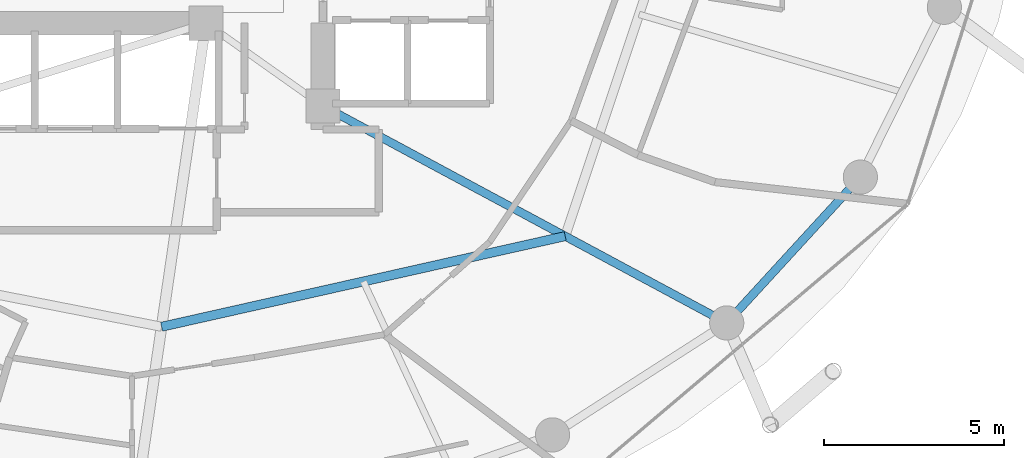
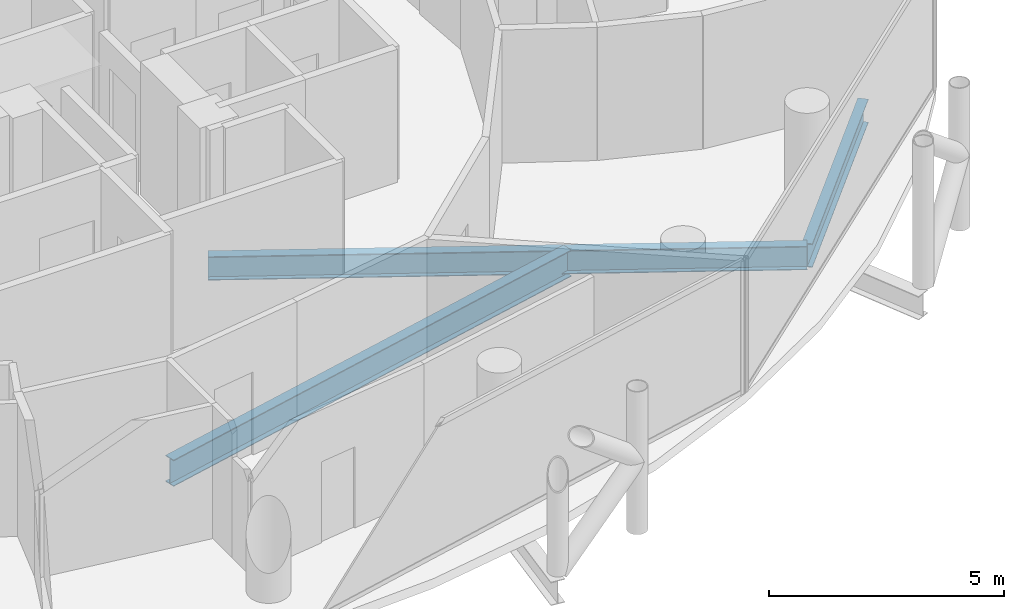
# One storey, part 9 of 26: 3 beams.
"""IFC4 building model written with IfcOpenShell, lengths in metres."""

from ifc_helpers import new_model, si_unit, direction, frame, origin, origin_2d, place, context, subcontext, project, spatial, i_section, extrude, material, material_profile, profile_set, type_object, element, save


model = new_model("IFC4")

# Units and contexts
model_context = context("Model", 3, precision=1e-05, world=origin(), true_north=direction((0.0, 1.0)))
body_context = subcontext(model_context, "Body", "Model", "MODEL_VIEW")
ifc_project = project(units=[si_unit("LENGTHUNIT", "METRE"), si_unit("AREAUNIT", "SQUARE_METRE"), si_unit("VOLUMEUNIT", "CUBIC_METRE"), si_unit("PLANEANGLEUNIT", "RADIAN"), si_unit("MASSUNIT", "GRAM", prefix="KILO")], contexts=[model_context])

# Site, building, storey
site_placement = place(None, origin())
site = spatial("IfcSite", under=ifc_project, at=site_placement, CompositionType="ELEMENT")
building_placement = place(site_placement, origin())
building = spatial("IfcBuilding", under=site, at=building_placement, Name="Nuhasar Tower", CompositionType="ELEMENT")
storey_placement = place(building_placement, frame((0.0, 0.0, 129.35009765625)))
storey = spatial("IfcBuildingStorey", under=building, at=storey_placement, Name="L30", CompositionType="ELEMENT", Elevation=129.35009765625)

# Beams
ifc_material = material(Name="Steel S355", Category="steel")
ifc_material_profile_1 = material_profile(ifc_material, i_section(OverallWidth=0.25390625, OverallDepth=0.68408203125, WebThickness=0.012451171875, FlangeThickness=0.018798828125, at=origin_2d()), Name="W27X94")
ifc_profile_set_1 = profile_set([ifc_material_profile_1], Name="Steel S355")
beam_type_1 = type_object("IfcBeamType", Name="BM-INRING-W27X94", PredefinedType="BEAM", material=ifc_profile_set_1)
beam_1_placement = place(storey_placement, frame((39.820068359375, 12.8701171875, -0.592041015625), z_axis=(0.975716159385, 0.219038755282, 0.0), x_axis=(-0.219038755282, 0.975716159385, 0.0)))
element("IfcBeam", 1, at=beam_1_placement, inside=storey, type_object=beam_type_1, Name="L30 Inner Header Beam 02", PredefinedType="BEAM", context=body_context, shape_type="SweptSolid", body=[
    extrude(i_section(OverallWidth=0.25390625, OverallDepth=0.68408203125, WebThickness=0.012451171875, FlangeThickness=0.018798828125, at=origin_2d()), origin(), (0.0, 0.0, 1.0), 11.48583984375),
])
ifc_material_profile_2 = material_profile(ifc_material, i_section(OverallWidth=0.22900390625, OverallDepth=0.612060546875, WebThickness=0.011962890625, FlangeThickness=0.01953125, at=origin_2d()), Name="W24X84")
ifc_profile_set_2 = profile_set([ifc_material_profile_2], Name="Steel S355")
beam_type_2 = type_object("IfcBeamType", Name="BM-RAD-W24X84", PredefinedType="BEAM", material=ifc_profile_set_2)
beam_2_placement = place(storey_placement, frame((44.300048828125, 19.0, -0.55615234375), z_axis=(0.880888386928, -0.473324043098, 0.0), x_axis=(0.473324043098, 0.880888386928, 0.0)))
element("IfcBeam", 2, at=beam_2_placement, inside=storey, type_object=beam_type_2, Name="L30 Radial Floor Girder 03", PredefinedType="BEAM", context=body_context, shape_type="SweptSolid", body=[
    extrude(i_section(OverallWidth=0.22900390625, OverallDepth=0.612060546875, WebThickness=0.011962890625, FlangeThickness=0.01953125, at=origin_2d()), origin(), (0.0, 0.0, 1.0), 12.726806640625),
])
ifc_material_profile_3 = material_profile(ifc_material, i_section(OverallWidth=0.22998046875, OverallDepth=0.616943359375, WebThickness=0.01318359375, FlangeThickness=0.022216796875, at=origin_2d()), Name="W24X94")
ifc_profile_set_3 = profile_set([ifc_material_profile_3], Name="Steel S355")
beam_type_3 = type_object("IfcBeamType", Name="BM-RING-W24X94", PredefinedType="SPANDREL", material=ifc_profile_set_3)
beam_3_placement = place(storey_placement, frame((55.510986328125, 12.97607421875, -0.55908203125), z_axis=(0.675676316545, 0.737198423262, 0.0), x_axis=(-0.737198423262, 0.675676316545, 0.0)))
element("IfcBeam", 3, at=beam_3_placement, inside=storey, type_object=beam_type_3, Name="L30 Perimeter Ring Spandrel 22", PredefinedType="SPANDREL", context=body_context, shape_type="SweptSolid", body=[
    extrude(i_section(OverallWidth=0.22998046875, OverallDepth=0.616943359375, WebThickness=0.01318359375, FlangeThickness=0.022216796875, at=origin_2d()), origin(), (0.0, 0.0, 1.0), 5.4921875),
])

save(model, "model.ifc")
